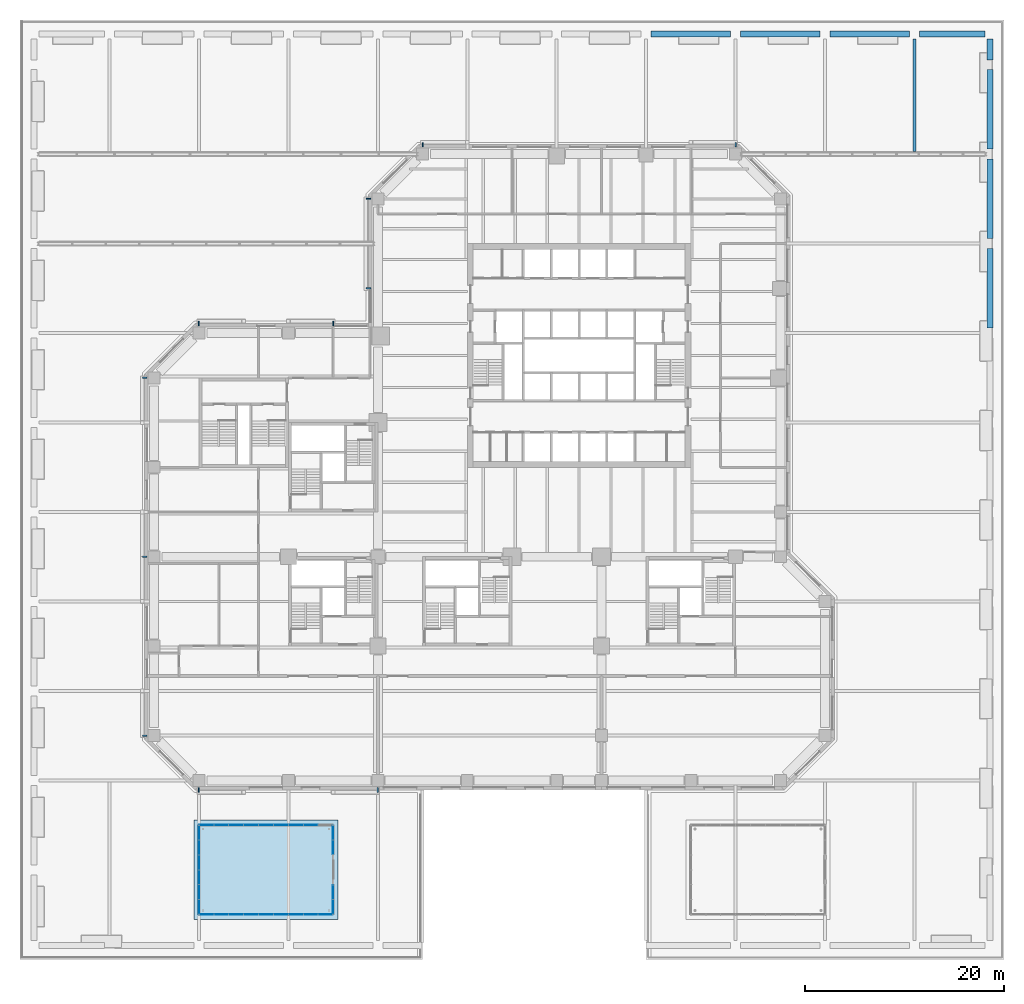
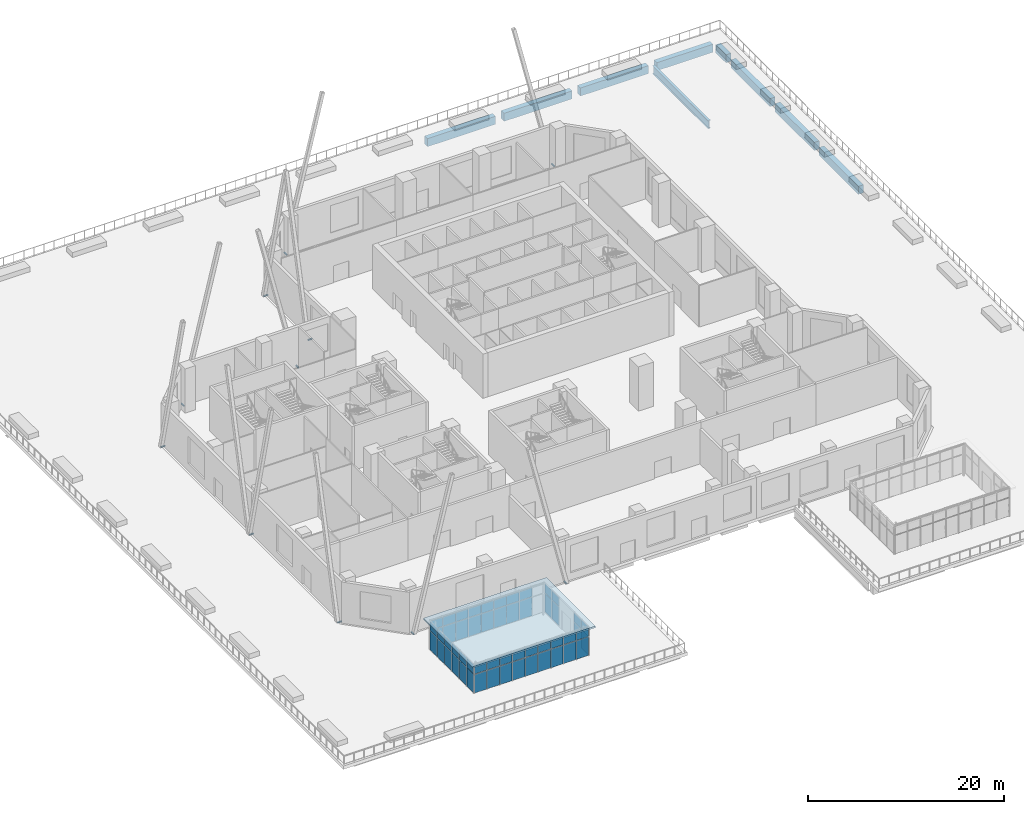
# One storey, part 16 of 33: 54 plates, 20 beams, 1 slab, 5 elements without a shape of their own.
"""IFC4 building model written with IfcOpenShell, lengths in metres."""

from ifc_helpers import new_model, si_unit, direction, frame, origin, origin_2d, place, context, subcontext, project, spatial, polyline, rectangle, hollow_rectangle, i_section, outline, extrude, material, layer, layer_set, constituent, constituent_set, material_profile, profile_set, type_object, element, aggregate, save


model = new_model("IFC4")

# Units and contexts
model_context = context("Model", 3, precision=1e-05, world=origin(), true_north=direction((0.0, 1.0)))
body_context = subcontext(model_context, "Body", "Model", "MODEL_VIEW")
ifc_project = project(units=[si_unit("LENGTHUNIT", "METRE"), si_unit("AREAUNIT", "SQUARE_METRE"), si_unit("VOLUMEUNIT", "CUBIC_METRE"), si_unit("PLANEANGLEUNIT", "RADIAN"), si_unit("MASSUNIT", "GRAM", prefix="KILO")], contexts=[model_context])

# Site, building, storey
site_placement = place(None, origin())
site = spatial("IfcSite", under=ifc_project, at=site_placement, CompositionType="ELEMENT")
building_placement = place(site_placement, origin())
building = spatial("IfcBuilding", under=site, at=building_placement, Name="Quoin Convention Tower", CompositionType="ELEMENT")
storey_placement = place(building_placement, frame((0.0, 0.0, 8.0)))
storey = spatial("IfcBuildingStorey", under=building, at=storey_placement, Name="L01", CompositionType="ELEMENT", Elevation=8.0)

# Beams
ifc_material_1 = material(Name="Steel Grade 300", Category="steel")
ifc_material_profile_1 = material_profile(ifc_material_1, i_section(OverallWidth=0.300048828125, OverallDepth=1.0, WebThickness=0.01611328125, FlangeThickness=0.02001953125, at=origin_2d()), Name="1000WB215")
ifc_profile_set_1 = profile_set([ifc_material_profile_1], Name="Steel Grade 300")
beam_type_1 = type_object("IfcBeamType", Name="1000WB215", PredefinedType="BEAM", material=ifc_profile_set_1)
beam_1_placement = place(storey_placement, frame((90.0, 81.25, -0.909912109375), z_axis=(0.0, 1.0, 0.0), x_axis=(-1.0, 0.0, 0.0)))
element("IfcBeam", 1, at=beam_1_placement, inside=storey, type_object=beam_type_1, Name="gir-L01-deck-N90000_81250", PredefinedType="BEAM", context=body_context, shape_type="SweptSolid", body=[
    extrude(i_section(OverallWidth=0.300048828125, OverallDepth=1.0, WebThickness=0.01611328125, FlangeThickness=0.02001953125, at=origin_2d()), origin(), (0.0, 0.0, 1.0), 11.35009765625),
])
ifc_material_2 = material(Name="Steel C450L0", Category="steel")
ifc_material_profile_2 = material_profile(ifc_material_2, hollow_rectangle(XDim=0.14990234375, YDim=0.14990234375, WallThickness=0.008056640625, InnerFilletRadius=0.011962890625, OuterFilletRadius=0.02001953125, at=origin_2d()), Name="150x150x8.0SHS")
ifc_profile_set_2 = profile_set([ifc_material_profile_2], Name="Steel C450L0")
beam_type_2 = type_object("IfcBeamType", Name="150x150x8.0SHS", PredefinedType="BEAM", material=ifc_profile_set_2)
for number, where, z_axis, x_axis, name in (
    (2, (12.800048828125, 40.5, -0.074951171875), (-1.0, 0.0, 0.0), (0.0, -1.0, 0.0), "brk-lo-L01-13500_40500-13500_36000"),
    (3, (12.800048828125, 22.5, -0.074951171875), (-1.0, 0.0, 0.0), (0.0, -1.0, 0.0), "brk-lo-L01-13500_27000-13500_22500"),
    (4, (12.800048828125, 58.5, -0.074951171875), (-1.0, 0.0, 0.0), (0.0, -1.0, 0.0), "brk-lo-L01-13500_58500-13500_54000"),
    (5, (18.0, 17.300048828125, -0.074951171875), (0.0, -1.0, 0.0), (1.0, 0.0, 0.0), "brk-lo-L01-18000_18000-22500_18000"),
    (6, (36.0, 17.300048828125, -0.074951171875), (0.0, -1.0, 0.0), (1.0, 0.0, 0.0), "brk-lo-L01-31500_18000-36000_18000"),
    (7, (31.5, 63.699951171875, -0.074951171875), (0.0, 1.0, 0.0), (-1.0, 0.0, 0.0), "brk-lo-L01-31500_63000-27000_63000"),
    (8, (18.0, 63.699951171875, -0.074951171875), (0.0, 1.0, 0.0), (-1.0, 0.0, 0.0), "brk-lo-L01-22500_63000-18000_63000"),
    (9, (35.300048828125, 76.5, -0.074951171875), (-1.0, 0.0, 0.0), (0.0, -1.0, 0.0), "brk-lo-L01-36000_76500-36000_72000"),
    (10, (35.300048828125, 67.5, -0.074951171875), (-1.0, 0.0, 0.0), (0.0, -1.0, 0.0), "brk-lo-L01-36000_72000-36000_67500"),
    (11, (72.0, 81.699951171875, -0.074951171875), (0.0, 1.0, 0.0), (-1.0, 0.0, 0.0), "brk-lo-L01-72000_81000-67500_81000"),
    (12, (40.5, 81.699951171875, -0.074951171875), (0.0, 1.0, 0.0), (-1.0, 0.0, 0.0), "brk-lo-L01-45000_81000-40500_81000"),
):
    element("IfcBeam", number, at=place(storey_placement, frame(where, z_axis=z_axis, x_axis=x_axis)), inside=storey, type_object=beam_type_2, Name=name, PredefinedType="BEAM", context=body_context, shape_type="SweptSolid", body=[
        extrude(hollow_rectangle(XDim=0.14990234375, YDim=0.14990234375, WallThickness=0.008056640625, InnerFilletRadius=0.011962890625, OuterFilletRadius=0.02001953125, at=origin_2d()), origin(), (0.0, 0.0, 1.0), 0.5),
    ])
ifc_material_3 = material(Name="Concrete C100 (100 MPa)", Category="concrete")
ifc_material_profile_3 = material_profile(ifc_material_3, rectangle(XDim=0.60009765625, YDim=1.0, at=origin_2d()), Name="RC 600x1000")
ifc_profile_set_3 = profile_set([ifc_material_profile_3], Name="Concrete C100 (100 MPa)")
beam_type_3 = type_object("IfcBeamType", Name="RC 600x1000 C100", PredefinedType="SPANDREL", material=ifc_profile_set_3)
for number, where, z_axis, x_axis, name in (
    (13, (63.5, 93.10009765625, -0.909912109375), (1.0, 0.0, 0.0), (0.0, 1.0, 0.0), "spd-L01-edge-63000_93100-72000_93100"),
    (14, (72.5, 93.10009765625, -0.909912109375), (1.0, 0.0, 0.0), (0.0, 1.0, 0.0), "spd-L01-edge-72000_93100-81000_93100"),
    (15, (81.5, 93.10009765625, -0.909912109375), (1.0, 0.0, 0.0), (0.0, 1.0, 0.0), "spd-L01-edge-81000_93100-90000_93100"),
):
    element("IfcBeam", number, at=place(storey_placement, frame(where, z_axis=z_axis, x_axis=x_axis)), inside=storey, type_object=beam_type_3, Name=name, PredefinedType="SPANDREL", context=body_context, shape_type="SweptSolid", body=[
        extrude(rectangle(XDim=0.60009765625, YDim=1.0, at=origin_2d()), origin(), (0.0, 0.0, 1.0), 8.0),
    ])
beam_2_placement = place(storey_placement, frame((90.5, 93.10009765625, -0.909912109375), z_axis=(1.0, 0.0, 0.0), x_axis=(0.0, 1.0, 0.0)))
element("IfcBeam", 16, at=beam_2_placement, inside=storey, type_object=beam_type_3, Name="spd-L01-edge-90000_93100-97600_93100", PredefinedType="SPANDREL", context=body_context, shape_type="SweptSolid", body=[
    extrude(rectangle(XDim=0.60009765625, YDim=1.0, at=origin_2d()), origin(), (0.0, 0.0, 1.0), 6.60009765625),
])
for number, where, z_axis, x_axis, name in (
    (17, (97.60009765625, 63.5, -0.909912109375), (0.0, 1.0, 0.0), (-1.0, 0.0, 0.0), "spd-L01-edge-97600_63000-97600_72000"),
    (18, (97.60009765625, 72.5, -0.909912109375), (0.0, 1.0, 0.0), (-1.0, 0.0, 0.0), "spd-L01-edge-97600_72000-97600_81000"),
    (19, (97.60009765625, 81.5, -0.909912109375), (0.0, 1.0, 0.0), (-1.0, 0.0, 0.0), "spd-L01-edge-97600_81000-97600_90000"),
):
    element("IfcBeam", number, at=place(storey_placement, frame(where, z_axis=z_axis, x_axis=x_axis)), inside=storey, type_object=beam_type_3, Name=name, PredefinedType="SPANDREL", context=body_context, shape_type="SweptSolid", body=[
        extrude(rectangle(XDim=0.60009765625, YDim=1.0, at=origin_2d()), origin(), (0.0, 0.0, 1.0), 8.0),
    ])
beam_3_placement = place(storey_placement, frame((97.60009765625, 90.5, -0.909912109375), z_axis=(0.0, 1.0, 0.0), x_axis=(-1.0, 0.0, 0.0)))
element("IfcBeam", 20, at=beam_3_placement, inside=storey, type_object=beam_type_3, Name="spd-L01-edge-97600_90000-97600_93100", PredefinedType="SPANDREL", context=body_context, shape_type="SweptSolid", body=[
    extrude(rectangle(XDim=0.60009765625, YDim=1.0, at=origin_2d()), origin(), (0.0, 0.0, 1.0), 2.10009765625),
])

# Curtain wall, plates
ifc_material_4 = material(Name="Aluminium", Category="aluminium")
ifc_constituent_1 = constituent(ifc_material_4, Name="Frame")
ifc_material_5 = material(Name="Insulated glass", Category="glass")
ifc_constituent_2 = constituent(ifc_material_5, Name="Glazing")
ifc_constituent_set = constituent_set(constituents=[ifc_constituent_1, ifc_constituent_2], Name="Aluminium")
curtain_wall_type = type_object("IfcCurtainWallType", Name="Garden pavilion glazing system", PredefinedType="NOTDEFINED", material=ifc_constituent_set)
curtain_wall_1_placement = place(storey_placement, origin())
curtain_wall_1 = element("IfcCurtainWall", 21, at=curtain_wall_1_placement, inside=storey, type_object=curtain_wall_type, Name="cw-PAV-W0-31500_4500", PredefinedType="NOTDEFINED")
ifc_layer_1 = layer(ifc_material_5, 0.031982421875)
ifc_layer_set_1 = layer_set([ifc_layer_1], Name="Insulated glass")
plate_type = type_object("IfcPlateType", Name="Garden pavilion glazing glazing unit 32", PredefinedType="CURTAIN_PANEL", material=ifc_layer_set_1)
plate_1_placement = place(storey_placement, frame((31.5, 5.262451171875, 0.0400390625), z_axis=(0.0, 0.0, 1.0), x_axis=(0.0, 1.0, 0.0)))
plate_1 = element("IfcPlate", 22, at=plate_1_placement, type_object=plate_type, Name="CW4 panel 1.1", PredefinedType="CURTAIN_PANEL", context=body_context, shape_type="SweptSolid", body=[
    extrude(rectangle(XDim=1.425048828125, YDim=0.031982421875, at=origin_2d()), origin(), (0.0, 0.0, 1.0), 2.340087890625),
])
plate_2_placement = place(storey_placement, frame((31.5, 5.262451171875, 2.419921875), z_axis=(0.0, 0.0, 1.0), x_axis=(0.0, 1.0, 0.0)))
plate_2 = element("IfcPlate", 23, at=plate_2_placement, type_object=plate_type, Name="CW4 panel 1.2", PredefinedType="CURTAIN_PANEL", context=body_context, shape_type="SweptSolid", body=[
    extrude(rectangle(XDim=1.425048828125, YDim=0.031982421875, at=origin_2d()), origin(), (0.0, 0.0, 1.0), 1.139892578125),
])
plate_3_placement = place(storey_placement, frame((31.5, 6.737548828125, 0.0400390625), z_axis=(0.0, 0.0, 1.0), x_axis=(0.0, 1.0, 0.0)))
plate_3 = element("IfcPlate", 24, at=plate_3_placement, type_object=plate_type, Name="CW4 panel 2.1", PredefinedType="CURTAIN_PANEL", context=body_context, shape_type="SweptSolid", body=[
    extrude(rectangle(XDim=1.425048828125, YDim=0.031982421875, at=origin_2d()), origin(), (0.0, 0.0, 1.0), 2.340087890625),
])
plate_4_placement = place(storey_placement, frame((31.5, 6.737548828125, 2.419921875), z_axis=(0.0, 0.0, 1.0), x_axis=(0.0, 1.0, 0.0)))
plate_4 = element("IfcPlate", 25, at=plate_4_placement, type_object=plate_type, Name="CW4 panel 2.2", PredefinedType="CURTAIN_PANEL", context=body_context, shape_type="SweptSolid", body=[
    extrude(rectangle(XDim=1.425048828125, YDim=0.031982421875, at=origin_2d()), origin(), (0.0, 0.0, 1.0), 1.139892578125),
])
aggregate(curtain_wall_1, [plate_1, plate_2, plate_3, plate_4])

curtain_wall_2_placement = place(storey_placement, origin())
curtain_wall_2 = element("IfcCurtainWall", 26, at=curtain_wall_2_placement, inside=storey, type_object=curtain_wall_type, Name="cw-PAV-W0-31500_10500", PredefinedType="NOTDEFINED")
plate_5_placement = place(storey_placement, frame((31.5, 11.262451171875, 0.0400390625), z_axis=(0.0, 0.0, 1.0), x_axis=(0.0, 1.0, 0.0)))
plate_5 = element("IfcPlate", 27, at=plate_5_placement, type_object=plate_type, Name="CW4 panel 1.1", PredefinedType="CURTAIN_PANEL", context=body_context, shape_type="SweptSolid", body=[
    extrude(rectangle(XDim=1.425048828125, YDim=0.031982421875, at=origin_2d()), origin(), (0.0, 0.0, 1.0), 2.340087890625),
])
plate_6_placement = place(storey_placement, frame((31.5, 11.262451171875, 2.419921875), z_axis=(0.0, 0.0, 1.0), x_axis=(0.0, 1.0, 0.0)))
plate_6 = element("IfcPlate", 28, at=plate_6_placement, type_object=plate_type, Name="CW4 panel 1.2", PredefinedType="CURTAIN_PANEL", context=body_context, shape_type="SweptSolid", body=[
    extrude(rectangle(XDim=1.425048828125, YDim=0.031982421875, at=origin_2d()), origin(), (0.0, 0.0, 1.0), 1.139892578125),
])
plate_7_placement = place(storey_placement, frame((31.5, 12.737548828125, 0.0400390625), z_axis=(0.0, 0.0, 1.0), x_axis=(0.0, 1.0, 0.0)))
plate_7 = element("IfcPlate", 29, at=plate_7_placement, type_object=plate_type, Name="CW4 panel 2.1", PredefinedType="CURTAIN_PANEL", context=body_context, shape_type="SweptSolid", body=[
    extrude(rectangle(XDim=1.425048828125, YDim=0.031982421875, at=origin_2d()), origin(), (0.0, 0.0, 1.0), 2.340087890625),
])
plate_8_placement = place(storey_placement, frame((31.5, 12.737548828125, 2.419921875), z_axis=(0.0, 0.0, 1.0), x_axis=(0.0, 1.0, 0.0)))
plate_8 = element("IfcPlate", 30, at=plate_8_placement, type_object=plate_type, Name="CW4 panel 2.2", PredefinedType="CURTAIN_PANEL", context=body_context, shape_type="SweptSolid", body=[
    extrude(rectangle(XDim=1.425048828125, YDim=0.031982421875, at=origin_2d()), origin(), (0.0, 0.0, 1.0), 1.139892578125),
])
aggregate(curtain_wall_2, [plate_5, plate_6, plate_7, plate_8])

curtain_wall_3_placement = place(storey_placement, origin())
curtain_wall_3 = element("IfcCurtainWall", 31, at=curtain_wall_3_placement, inside=storey, type_object=curtain_wall_type, Name="cw-PAV-W1-31500_13500", PredefinedType="NOTDEFINED")
plate_9_placement = place(storey_placement, frame((29.25, 13.5, 0.0400390625), z_axis=(0.0, 0.0, 1.0), x_axis=(-1.0, 0.0, 0.0)))
plate_9 = element("IfcPlate", 32, at=plate_9_placement, type_object=plate_type, Name="CW4 panel 2.1", PredefinedType="CURTAIN_PANEL", context=body_context, shape_type="SweptSolid", body=[
    extrude(rectangle(XDim=1.449951171875, YDim=0.031982421875, at=origin_2d()), origin(), (0.0, 0.0, 1.0), 2.340087890625),
])
plate_10_placement = place(storey_placement, frame((29.25, 13.5, 2.419921875), z_axis=(0.0, 0.0, 1.0), x_axis=(-1.0, 0.0, 0.0)))
plate_10 = element("IfcPlate", 33, at=plate_10_placement, type_object=plate_type, Name="CW4 panel 2.2", PredefinedType="CURTAIN_PANEL", context=body_context, shape_type="SweptSolid", body=[
    extrude(rectangle(XDim=1.449951171875, YDim=0.031982421875, at=origin_2d()), origin(), (0.0, 0.0, 1.0), 1.139892578125),
])
plate_11_placement = place(storey_placement, frame((27.75, 13.5, 0.0400390625), z_axis=(0.0, 0.0, 1.0), x_axis=(-1.0, 0.0, 0.0)))
plate_11 = element("IfcPlate", 34, at=plate_11_placement, type_object=plate_type, Name="CW4 panel 3.1", PredefinedType="CURTAIN_PANEL", context=body_context, shape_type="SweptSolid", body=[
    extrude(rectangle(XDim=1.449951171875, YDim=0.031982421875, at=origin_2d()), origin(), (0.0, 0.0, 1.0), 2.340087890625),
])
plate_12_placement = place(storey_placement, frame((27.75, 13.5, 2.419921875), z_axis=(0.0, 0.0, 1.0), x_axis=(-1.0, 0.0, 0.0)))
plate_12 = element("IfcPlate", 35, at=plate_12_placement, type_object=plate_type, Name="CW4 panel 3.2", PredefinedType="CURTAIN_PANEL", context=body_context, shape_type="SweptSolid", body=[
    extrude(rectangle(XDim=1.449951171875, YDim=0.031982421875, at=origin_2d()), origin(), (0.0, 0.0, 1.0), 1.139892578125),
])
plate_13_placement = place(storey_placement, frame((26.25, 13.5, 0.0400390625), z_axis=(0.0, 0.0, 1.0), x_axis=(-1.0, 0.0, 0.0)))
plate_13 = element("IfcPlate", 36, at=plate_13_placement, type_object=plate_type, Name="CW4 panel 4.1", PredefinedType="CURTAIN_PANEL", context=body_context, shape_type="SweptSolid", body=[
    extrude(rectangle(XDim=1.449951171875, YDim=0.031982421875, at=origin_2d()), origin(), (0.0, 0.0, 1.0), 2.340087890625),
])
plate_14_placement = place(storey_placement, frame((26.25, 13.5, 2.419921875), z_axis=(0.0, 0.0, 1.0), x_axis=(-1.0, 0.0, 0.0)))
plate_14 = element("IfcPlate", 37, at=plate_14_placement, type_object=plate_type, Name="CW4 panel 4.2", PredefinedType="CURTAIN_PANEL", context=body_context, shape_type="SweptSolid", body=[
    extrude(rectangle(XDim=1.449951171875, YDim=0.031982421875, at=origin_2d()), origin(), (0.0, 0.0, 1.0), 1.139892578125),
])
plate_15_placement = place(storey_placement, frame((24.75, 13.5, 0.0400390625), z_axis=(0.0, 0.0, 1.0), x_axis=(-1.0, 0.0, 0.0)))
plate_15 = element("IfcPlate", 38, at=plate_15_placement, type_object=plate_type, Name="CW4 panel 5.1", PredefinedType="CURTAIN_PANEL", context=body_context, shape_type="SweptSolid", body=[
    extrude(rectangle(XDim=1.449951171875, YDim=0.031982421875, at=origin_2d()), origin(), (0.0, 0.0, 1.0), 2.340087890625),
])
plate_16_placement = place(storey_placement, frame((24.75, 13.5, 2.419921875), z_axis=(0.0, 0.0, 1.0), x_axis=(-1.0, 0.0, 0.0)))
plate_16 = element("IfcPlate", 39, at=plate_16_placement, type_object=plate_type, Name="CW4 panel 5.2", PredefinedType="CURTAIN_PANEL", context=body_context, shape_type="SweptSolid", body=[
    extrude(rectangle(XDim=1.449951171875, YDim=0.031982421875, at=origin_2d()), origin(), (0.0, 0.0, 1.0), 1.139892578125),
])
plate_17_placement = place(storey_placement, frame((23.25, 13.5, 0.0400390625), z_axis=(0.0, 0.0, 1.0), x_axis=(-1.0, 0.0, 0.0)))
plate_17 = element("IfcPlate", 40, at=plate_17_placement, type_object=plate_type, Name="CW4 panel 6.1", PredefinedType="CURTAIN_PANEL", context=body_context, shape_type="SweptSolid", body=[
    extrude(rectangle(XDim=1.449951171875, YDim=0.031982421875, at=origin_2d()), origin(), (0.0, 0.0, 1.0), 2.340087890625),
])
plate_18_placement = place(storey_placement, frame((23.25, 13.5, 2.419921875), z_axis=(0.0, 0.0, 1.0), x_axis=(-1.0, 0.0, 0.0)))
plate_18 = element("IfcPlate", 41, at=plate_18_placement, type_object=plate_type, Name="CW4 panel 6.2", PredefinedType="CURTAIN_PANEL", context=body_context, shape_type="SweptSolid", body=[
    extrude(rectangle(XDim=1.449951171875, YDim=0.031982421875, at=origin_2d()), origin(), (0.0, 0.0, 1.0), 1.139892578125),
])
plate_19_placement = place(storey_placement, frame((21.75, 13.5, 0.0400390625), z_axis=(0.0, 0.0, 1.0), x_axis=(-1.0, 0.0, 0.0)))
plate_19 = element("IfcPlate", 42, at=plate_19_placement, type_object=plate_type, Name="CW4 panel 7.1", PredefinedType="CURTAIN_PANEL", context=body_context, shape_type="SweptSolid", body=[
    extrude(rectangle(XDim=1.449951171875, YDim=0.031982421875, at=origin_2d()), origin(), (0.0, 0.0, 1.0), 2.340087890625),
])
plate_20_placement = place(storey_placement, frame((21.75, 13.5, 2.419921875), z_axis=(0.0, 0.0, 1.0), x_axis=(-1.0, 0.0, 0.0)))
plate_20 = element("IfcPlate", 43, at=plate_20_placement, type_object=plate_type, Name="CW4 panel 7.2", PredefinedType="CURTAIN_PANEL", context=body_context, shape_type="SweptSolid", body=[
    extrude(rectangle(XDim=1.449951171875, YDim=0.031982421875, at=origin_2d()), origin(), (0.0, 0.0, 1.0), 1.139892578125),
])
plate_21_placement = place(storey_placement, frame((20.25, 13.5, 0.0400390625), z_axis=(0.0, 0.0, 1.0), x_axis=(-1.0, 0.0, 0.0)))
plate_21 = element("IfcPlate", 44, at=plate_21_placement, type_object=plate_type, Name="CW4 panel 8.1", PredefinedType="CURTAIN_PANEL", context=body_context, shape_type="SweptSolid", body=[
    extrude(rectangle(XDim=1.449951171875, YDim=0.031982421875, at=origin_2d()), origin(), (0.0, 0.0, 1.0), 2.340087890625),
])
plate_22_placement = place(storey_placement, frame((20.25, 13.5, 2.419921875), z_axis=(0.0, 0.0, 1.0), x_axis=(-1.0, 0.0, 0.0)))
plate_22 = element("IfcPlate", 45, at=plate_22_placement, type_object=plate_type, Name="CW4 panel 8.2", PredefinedType="CURTAIN_PANEL", context=body_context, shape_type="SweptSolid", body=[
    extrude(rectangle(XDim=1.449951171875, YDim=0.031982421875, at=origin_2d()), origin(), (0.0, 0.0, 1.0), 1.139892578125),
])
plate_23_placement = place(storey_placement, frame((18.762451171875, 13.5, 0.0400390625), z_axis=(0.0, 0.0, 1.0), x_axis=(-1.0, 0.0, 0.0)))
plate_23 = element("IfcPlate", 46, at=plate_23_placement, type_object=plate_type, Name="CW4 panel 9.1", PredefinedType="CURTAIN_PANEL", context=body_context, shape_type="SweptSolid", body=[
    extrude(rectangle(XDim=1.425048828125, YDim=0.031982421875, at=origin_2d()), origin(), (0.0, 0.0, 1.0), 2.340087890625),
])
plate_24_placement = place(storey_placement, frame((18.762451171875, 13.5, 2.419921875), z_axis=(0.0, 0.0, 1.0), x_axis=(-1.0, 0.0, 0.0)))
plate_24 = element("IfcPlate", 47, at=plate_24_placement, type_object=plate_type, Name="CW4 panel 9.2", PredefinedType="CURTAIN_PANEL", context=body_context, shape_type="SweptSolid", body=[
    extrude(rectangle(XDim=1.425048828125, YDim=0.031982421875, at=origin_2d()), origin(), (0.0, 0.0, 1.0), 1.139892578125),
])
aggregate(curtain_wall_3, [plate_9, plate_10, plate_11, plate_12, plate_13, plate_14, plate_15, plate_16, plate_17, plate_18, plate_19, plate_20, plate_21, plate_22, plate_23, plate_24])

curtain_wall_4_placement = place(storey_placement, origin())
curtain_wall_4 = element("IfcCurtainWall", 48, at=curtain_wall_4_placement, inside=storey, type_object=curtain_wall_type, Name="cw-PAV-W2-18000_13500", PredefinedType="NOTDEFINED")
plate_25_placement = place(storey_placement, frame((18.0, 12.737548828125, 0.0400390625), z_axis=(0.0, 0.0, 1.0), x_axis=(0.0, -1.0, 0.0)))
plate_25 = element("IfcPlate", 49, at=plate_25_placement, type_object=plate_type, Name="CW4 panel 1.1", PredefinedType="CURTAIN_PANEL", context=body_context, shape_type="SweptSolid", body=[
    extrude(rectangle(XDim=1.425048828125, YDim=0.031982421875, at=origin_2d()), origin(), (0.0, 0.0, 1.0), 2.340087890625),
])
plate_26_placement = place(storey_placement, frame((18.0, 12.737548828125, 2.419921875), z_axis=(0.0, 0.0, 1.0), x_axis=(0.0, -1.0, 0.0)))
plate_26 = element("IfcPlate", 50, at=plate_26_placement, type_object=plate_type, Name="CW4 panel 1.2", PredefinedType="CURTAIN_PANEL", context=body_context, shape_type="SweptSolid", body=[
    extrude(rectangle(XDim=1.425048828125, YDim=0.031982421875, at=origin_2d()), origin(), (0.0, 0.0, 1.0), 1.139892578125),
])
plate_27_placement = place(storey_placement, frame((18.0, 11.25, 0.0400390625), z_axis=(0.0, 0.0, 1.0), x_axis=(0.0, -1.0, 0.0)))
plate_27 = element("IfcPlate", 51, at=plate_27_placement, type_object=plate_type, Name="CW4 panel 2.1", PredefinedType="CURTAIN_PANEL", context=body_context, shape_type="SweptSolid", body=[
    extrude(rectangle(XDim=1.449951171875, YDim=0.031982421875, at=origin_2d()), origin(), (0.0, 0.0, 1.0), 2.340087890625),
])
plate_28_placement = place(storey_placement, frame((18.0, 11.25, 2.419921875), z_axis=(0.0, 0.0, 1.0), x_axis=(0.0, -1.0, 0.0)))
plate_28 = element("IfcPlate", 52, at=plate_28_placement, type_object=plate_type, Name="CW4 panel 2.2", PredefinedType="CURTAIN_PANEL", context=body_context, shape_type="SweptSolid", body=[
    extrude(rectangle(XDim=1.449951171875, YDim=0.031982421875, at=origin_2d()), origin(), (0.0, 0.0, 1.0), 1.139892578125),
])
plate_29_placement = place(storey_placement, frame((18.0, 9.75, 0.0400390625), z_axis=(0.0, 0.0, 1.0), x_axis=(0.0, -1.0, 0.0)))
plate_29 = element("IfcPlate", 53, at=plate_29_placement, type_object=plate_type, Name="CW4 panel 3.1", PredefinedType="CURTAIN_PANEL", context=body_context, shape_type="SweptSolid", body=[
    extrude(rectangle(XDim=1.449951171875, YDim=0.031982421875, at=origin_2d()), origin(), (0.0, 0.0, 1.0), 2.340087890625),
])
plate_30_placement = place(storey_placement, frame((18.0, 9.75, 2.419921875), z_axis=(0.0, 0.0, 1.0), x_axis=(0.0, -1.0, 0.0)))
plate_30 = element("IfcPlate", 54, at=plate_30_placement, type_object=plate_type, Name="CW4 panel 3.2", PredefinedType="CURTAIN_PANEL", context=body_context, shape_type="SweptSolid", body=[
    extrude(rectangle(XDim=1.449951171875, YDim=0.031982421875, at=origin_2d()), origin(), (0.0, 0.0, 1.0), 1.139892578125),
])
plate_31_placement = place(storey_placement, frame((18.0, 8.25, 0.0400390625), z_axis=(0.0, 0.0, 1.0), x_axis=(0.0, -1.0, 0.0)))
plate_31 = element("IfcPlate", 55, at=plate_31_placement, type_object=plate_type, Name="CW4 panel 4.1", PredefinedType="CURTAIN_PANEL", context=body_context, shape_type="SweptSolid", body=[
    extrude(rectangle(XDim=1.449951171875, YDim=0.031982421875, at=origin_2d()), origin(), (0.0, 0.0, 1.0), 2.340087890625),
])
plate_32_placement = place(storey_placement, frame((18.0, 8.25, 2.419921875), z_axis=(0.0, 0.0, 1.0), x_axis=(0.0, -1.0, 0.0)))
plate_32 = element("IfcPlate", 56, at=plate_32_placement, type_object=plate_type, Name="CW4 panel 4.2", PredefinedType="CURTAIN_PANEL", context=body_context, shape_type="SweptSolid", body=[
    extrude(rectangle(XDim=1.449951171875, YDim=0.031982421875, at=origin_2d()), origin(), (0.0, 0.0, 1.0), 1.139892578125),
])
plate_33_placement = place(storey_placement, frame((18.0, 6.75, 0.0400390625), z_axis=(0.0, 0.0, 1.0), x_axis=(0.0, -1.0, 0.0)))
plate_33 = element("IfcPlate", 57, at=plate_33_placement, type_object=plate_type, Name="CW4 panel 5.1", PredefinedType="CURTAIN_PANEL", context=body_context, shape_type="SweptSolid", body=[
    extrude(rectangle(XDim=1.449951171875, YDim=0.031982421875, at=origin_2d()), origin(), (0.0, 0.0, 1.0), 2.340087890625),
])
plate_34_placement = place(storey_placement, frame((18.0, 6.75, 2.419921875), z_axis=(0.0, 0.0, 1.0), x_axis=(0.0, -1.0, 0.0)))
plate_34 = element("IfcPlate", 58, at=plate_34_placement, type_object=plate_type, Name="CW4 panel 5.2", PredefinedType="CURTAIN_PANEL", context=body_context, shape_type="SweptSolid", body=[
    extrude(rectangle(XDim=1.449951171875, YDim=0.031982421875, at=origin_2d()), origin(), (0.0, 0.0, 1.0), 1.139892578125),
])
plate_35_placement = place(storey_placement, frame((18.0, 5.262451171875, 0.0400390625), z_axis=(0.0, 0.0, 1.0), x_axis=(0.0, -1.0, 0.0)))
plate_35 = element("IfcPlate", 59, at=plate_35_placement, type_object=plate_type, Name="CW4 panel 6.1", PredefinedType="CURTAIN_PANEL", context=body_context, shape_type="SweptSolid", body=[
    extrude(rectangle(XDim=1.425048828125, YDim=0.031982421875, at=origin_2d()), origin(), (0.0, 0.0, 1.0), 2.340087890625),
])
plate_36_placement = place(storey_placement, frame((18.0, 5.262451171875, 2.419921875), z_axis=(0.0, 0.0, 1.0), x_axis=(0.0, -1.0, 0.0)))
plate_36 = element("IfcPlate", 60, at=plate_36_placement, type_object=plate_type, Name="CW4 panel 6.2", PredefinedType="CURTAIN_PANEL", context=body_context, shape_type="SweptSolid", body=[
    extrude(rectangle(XDim=1.425048828125, YDim=0.031982421875, at=origin_2d()), origin(), (0.0, 0.0, 1.0), 1.139892578125),
])
aggregate(curtain_wall_4, [plate_25, plate_26, plate_27, plate_28, plate_29, plate_30, plate_31, plate_32, plate_33, plate_34, plate_35, plate_36])

curtain_wall_5_placement = place(storey_placement, origin())
curtain_wall_5 = element("IfcCurtainWall", 61, at=curtain_wall_5_placement, inside=storey, type_object=curtain_wall_type, Name="cw-PAV-W3-18000_4500", PredefinedType="NOTDEFINED")
plate_37_placement = place(storey_placement, frame((18.762451171875, 4.5, 0.0400390625), z_axis=(0.0, 0.0, 1.0), x_axis=(1.0, 0.0, 0.0)))
plate_37 = element("IfcPlate", 62, at=plate_37_placement, type_object=plate_type, Name="CW4 panel 1.1", PredefinedType="CURTAIN_PANEL", context=body_context, shape_type="SweptSolid", body=[
    extrude(rectangle(XDim=1.425048828125, YDim=0.031982421875, at=origin_2d()), origin(), (0.0, 0.0, 1.0), 2.340087890625),
])
plate_38_placement = place(storey_placement, frame((18.762451171875, 4.5, 2.419921875), z_axis=(0.0, 0.0, 1.0), x_axis=(1.0, 0.0, 0.0)))
plate_38 = element("IfcPlate", 63, at=plate_38_placement, type_object=plate_type, Name="CW4 panel 1.2", PredefinedType="CURTAIN_PANEL", context=body_context, shape_type="SweptSolid", body=[
    extrude(rectangle(XDim=1.425048828125, YDim=0.031982421875, at=origin_2d()), origin(), (0.0, 0.0, 1.0), 1.139892578125),
])
plate_39_placement = place(storey_placement, frame((20.25, 4.5, 0.0400390625), z_axis=(0.0, 0.0, 1.0), x_axis=(1.0, 0.0, 0.0)))
plate_39 = element("IfcPlate", 64, at=plate_39_placement, type_object=plate_type, Name="CW4 panel 2.1", PredefinedType="CURTAIN_PANEL", context=body_context, shape_type="SweptSolid", body=[
    extrude(rectangle(XDim=1.449951171875, YDim=0.031982421875, at=origin_2d()), origin(), (0.0, 0.0, 1.0), 2.340087890625),
])
plate_40_placement = place(storey_placement, frame((20.25, 4.5, 2.419921875), z_axis=(0.0, 0.0, 1.0), x_axis=(1.0, 0.0, 0.0)))
plate_40 = element("IfcPlate", 65, at=plate_40_placement, type_object=plate_type, Name="CW4 panel 2.2", PredefinedType="CURTAIN_PANEL", context=body_context, shape_type="SweptSolid", body=[
    extrude(rectangle(XDim=1.449951171875, YDim=0.031982421875, at=origin_2d()), origin(), (0.0, 0.0, 1.0), 1.139892578125),
])
plate_41_placement = place(storey_placement, frame((21.75, 4.5, 0.0400390625), z_axis=(0.0, 0.0, 1.0), x_axis=(1.0, 0.0, 0.0)))
plate_41 = element("IfcPlate", 66, at=plate_41_placement, type_object=plate_type, Name="CW4 panel 3.1", PredefinedType="CURTAIN_PANEL", context=body_context, shape_type="SweptSolid", body=[
    extrude(rectangle(XDim=1.449951171875, YDim=0.031982421875, at=origin_2d()), origin(), (0.0, 0.0, 1.0), 2.340087890625),
])
plate_42_placement = place(storey_placement, frame((21.75, 4.5, 2.419921875), z_axis=(0.0, 0.0, 1.0), x_axis=(1.0, 0.0, 0.0)))
plate_42 = element("IfcPlate", 67, at=plate_42_placement, type_object=plate_type, Name="CW4 panel 3.2", PredefinedType="CURTAIN_PANEL", context=body_context, shape_type="SweptSolid", body=[
    extrude(rectangle(XDim=1.449951171875, YDim=0.031982421875, at=origin_2d()), origin(), (0.0, 0.0, 1.0), 1.139892578125),
])
plate_43_placement = place(storey_placement, frame((23.25, 4.5, 0.0400390625), z_axis=(0.0, 0.0, 1.0), x_axis=(1.0, 0.0, 0.0)))
plate_43 = element("IfcPlate", 68, at=plate_43_placement, type_object=plate_type, Name="CW4 panel 4.1", PredefinedType="CURTAIN_PANEL", context=body_context, shape_type="SweptSolid", body=[
    extrude(rectangle(XDim=1.449951171875, YDim=0.031982421875, at=origin_2d()), origin(), (0.0, 0.0, 1.0), 2.340087890625),
])
plate_44_placement = place(storey_placement, frame((23.25, 4.5, 2.419921875), z_axis=(0.0, 0.0, 1.0), x_axis=(1.0, 0.0, 0.0)))
plate_44 = element("IfcPlate", 69, at=plate_44_placement, type_object=plate_type, Name="CW4 panel 4.2", PredefinedType="CURTAIN_PANEL", context=body_context, shape_type="SweptSolid", body=[
    extrude(rectangle(XDim=1.449951171875, YDim=0.031982421875, at=origin_2d()), origin(), (0.0, 0.0, 1.0), 1.139892578125),
])
plate_45_placement = place(storey_placement, frame((24.75, 4.5, 0.0400390625), z_axis=(0.0, 0.0, 1.0), x_axis=(1.0, 0.0, 0.0)))
plate_45 = element("IfcPlate", 70, at=plate_45_placement, type_object=plate_type, Name="CW4 panel 5.1", PredefinedType="CURTAIN_PANEL", context=body_context, shape_type="SweptSolid", body=[
    extrude(rectangle(XDim=1.449951171875, YDim=0.031982421875, at=origin_2d()), origin(), (0.0, 0.0, 1.0), 2.340087890625),
])
plate_46_placement = place(storey_placement, frame((24.75, 4.5, 2.419921875), z_axis=(0.0, 0.0, 1.0), x_axis=(1.0, 0.0, 0.0)))
plate_46 = element("IfcPlate", 71, at=plate_46_placement, type_object=plate_type, Name="CW4 panel 5.2", PredefinedType="CURTAIN_PANEL", context=body_context, shape_type="SweptSolid", body=[
    extrude(rectangle(XDim=1.449951171875, YDim=0.031982421875, at=origin_2d()), origin(), (0.0, 0.0, 1.0), 1.139892578125),
])
plate_47_placement = place(storey_placement, frame((26.25, 4.5, 0.0400390625), z_axis=(0.0, 0.0, 1.0), x_axis=(1.0, 0.0, 0.0)))
plate_47 = element("IfcPlate", 72, at=plate_47_placement, type_object=plate_type, Name="CW4 panel 6.1", PredefinedType="CURTAIN_PANEL", context=body_context, shape_type="SweptSolid", body=[
    extrude(rectangle(XDim=1.449951171875, YDim=0.031982421875, at=origin_2d()), origin(), (0.0, 0.0, 1.0), 2.340087890625),
])
plate_48_placement = place(storey_placement, frame((26.25, 4.5, 2.419921875), z_axis=(0.0, 0.0, 1.0), x_axis=(1.0, 0.0, 0.0)))
plate_48 = element("IfcPlate", 73, at=plate_48_placement, type_object=plate_type, Name="CW4 panel 6.2", PredefinedType="CURTAIN_PANEL", context=body_context, shape_type="SweptSolid", body=[
    extrude(rectangle(XDim=1.449951171875, YDim=0.031982421875, at=origin_2d()), origin(), (0.0, 0.0, 1.0), 1.139892578125),
])
plate_49_placement = place(storey_placement, frame((27.75, 4.5, 0.0400390625), z_axis=(0.0, 0.0, 1.0), x_axis=(1.0, 0.0, 0.0)))
plate_49 = element("IfcPlate", 74, at=plate_49_placement, type_object=plate_type, Name="CW4 panel 7.1", PredefinedType="CURTAIN_PANEL", context=body_context, shape_type="SweptSolid", body=[
    extrude(rectangle(XDim=1.449951171875, YDim=0.031982421875, at=origin_2d()), origin(), (0.0, 0.0, 1.0), 2.340087890625),
])
plate_50_placement = place(storey_placement, frame((27.75, 4.5, 2.419921875), z_axis=(0.0, 0.0, 1.0), x_axis=(1.0, 0.0, 0.0)))
plate_50 = element("IfcPlate", 75, at=plate_50_placement, type_object=plate_type, Name="CW4 panel 7.2", PredefinedType="CURTAIN_PANEL", context=body_context, shape_type="SweptSolid", body=[
    extrude(rectangle(XDim=1.449951171875, YDim=0.031982421875, at=origin_2d()), origin(), (0.0, 0.0, 1.0), 1.139892578125),
])
plate_51_placement = place(storey_placement, frame((29.25, 4.5, 0.0400390625), z_axis=(0.0, 0.0, 1.0), x_axis=(1.0, 0.0, 0.0)))
plate_51 = element("IfcPlate", 76, at=plate_51_placement, type_object=plate_type, Name="CW4 panel 8.1", PredefinedType="CURTAIN_PANEL", context=body_context, shape_type="SweptSolid", body=[
    extrude(rectangle(XDim=1.449951171875, YDim=0.031982421875, at=origin_2d()), origin(), (0.0, 0.0, 1.0), 2.340087890625),
])
plate_52_placement = place(storey_placement, frame((29.25, 4.5, 2.419921875), z_axis=(0.0, 0.0, 1.0), x_axis=(1.0, 0.0, 0.0)))
plate_52 = element("IfcPlate", 77, at=plate_52_placement, type_object=plate_type, Name="CW4 panel 8.2", PredefinedType="CURTAIN_PANEL", context=body_context, shape_type="SweptSolid", body=[
    extrude(rectangle(XDim=1.449951171875, YDim=0.031982421875, at=origin_2d()), origin(), (0.0, 0.0, 1.0), 1.139892578125),
])
plate_53_placement = place(storey_placement, frame((30.737548828125, 4.5, 0.0400390625), z_axis=(0.0, 0.0, 1.0), x_axis=(1.0, 0.0, 0.0)))
plate_53 = element("IfcPlate", 78, at=plate_53_placement, type_object=plate_type, Name="CW4 panel 9.1", PredefinedType="CURTAIN_PANEL", context=body_context, shape_type="SweptSolid", body=[
    extrude(rectangle(XDim=1.425048828125, YDim=0.031982421875, at=origin_2d()), origin(), (0.0, 0.0, 1.0), 2.340087890625),
])
plate_54_placement = place(storey_placement, frame((30.737548828125, 4.5, 2.419921875), z_axis=(0.0, 0.0, 1.0), x_axis=(1.0, 0.0, 0.0)))
plate_54 = element("IfcPlate", 79, at=plate_54_placement, type_object=plate_type, Name="CW4 panel 9.2", PredefinedType="CURTAIN_PANEL", context=body_context, shape_type="SweptSolid", body=[
    extrude(rectangle(XDim=1.425048828125, YDim=0.031982421875, at=origin_2d()), origin(), (0.0, 0.0, 1.0), 1.139892578125),
])
aggregate(curtain_wall_5, [plate_37, plate_38, plate_39, plate_40, plate_41, plate_42, plate_43, plate_44, plate_45, plate_46, plate_47, plate_48, plate_49, plate_50, plate_51, plate_52, plate_53, plate_54])

# Slab
ifc_material_6 = material(Name="Steel Grade 350", Category="steel")
ifc_layer_2 = layer(ifc_material_6, 0.179931640625, Name="Structure")
ifc_layer_3 = layer(ifc_material_5, 0.02001953125, Name="Glazing")
ifc_layer_set_2 = layer_set([ifc_layer_2, ifc_layer_3], Name="Steel Grade 350")
slab_type = type_object("IfcSlabType", Name="Pavilion roof", PredefinedType="ROOF", material=ifc_layer_set_2)
slab_placement = place(storey_placement, frame((0.0, 0.0, 3.60009765625)))
element("IfcSlab", 80, at=slab_placement, inside=storey, type_object=slab_type, Name="West pavilion roof", PredefinedType="ROOF", context=body_context, shape_type="SweptSolid", body=[
    extrude(outline(polyline([(17.5, 4.0), (32.0, 4.0), (32.0, 14.0), (17.5, 14.0), (17.5, 4.0)])), origin(), (0.0, 0.0, 1.0), 0.199951171875),
])

save(model, "model.ifc")
